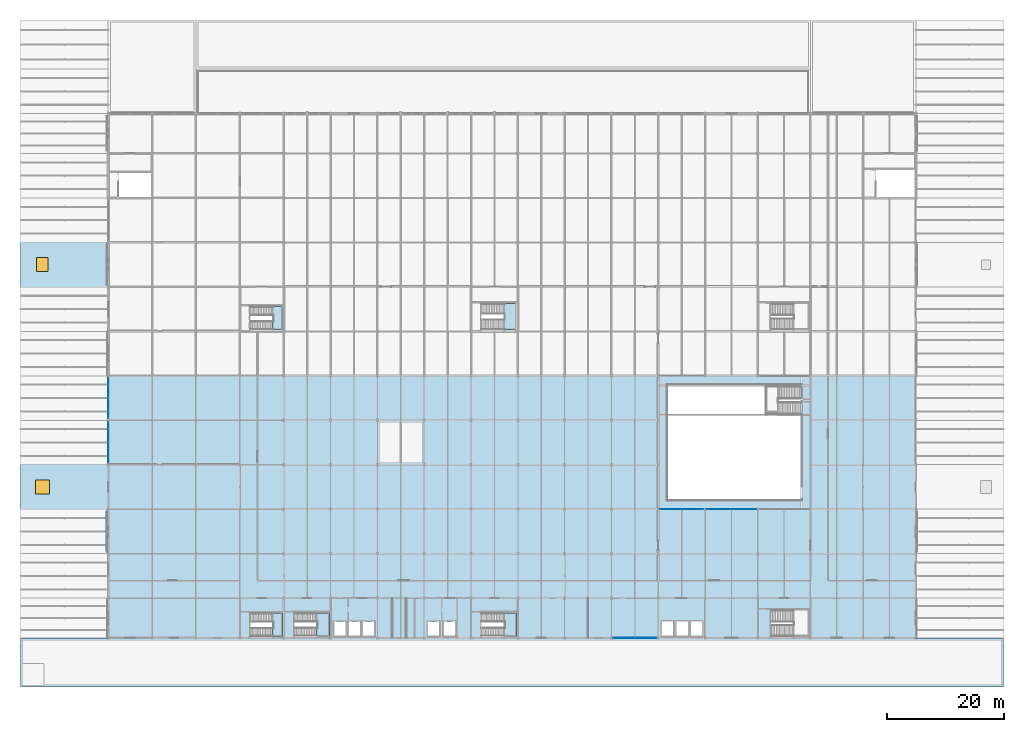
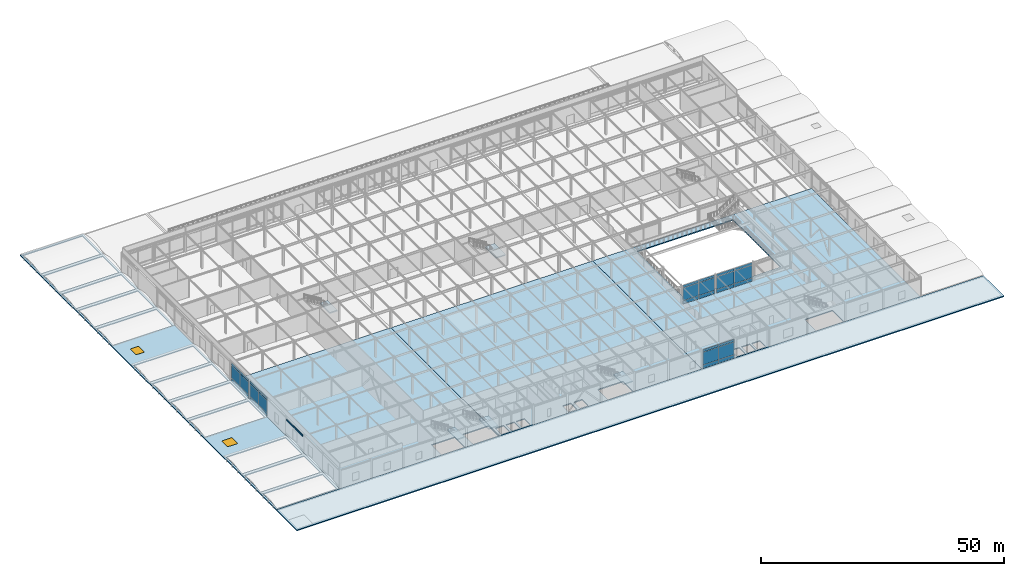
"""IFC4 building model written with IfcOpenShell, lengths in metres."""

from ifc_helpers import new_model, si_unit, direction, frame, origin, origin_2d, place, context, subcontext, project, spatial, polyline, rectangle, outline, extrude, material, layer, layer_set, type_object, element, fill, aggregate, save


model = new_model("IFC4")

# Units and contexts
model_context = context("Model", 3, precision=1e-05, world=origin(), true_north=direction((0.0, 1.0)))
body_context = subcontext(model_context, "Body", "Model", "MODEL_VIEW")
ifc_project = project(units=[si_unit("LENGTHUNIT", "METRE"), si_unit("AREAUNIT", "SQUARE_METRE"), si_unit("VOLUMEUNIT", "CUBIC_METRE"), si_unit("PLANEANGLEUNIT", "RADIAN"), si_unit("MASSUNIT", "GRAM", prefix="KILO")], contexts=[model_context])

# Site, building, storey
site_placement = place(None, origin())
site = spatial("IfcSite", under=ifc_project, at=site_placement, CompositionType="ELEMENT")
building_placement = place(site_placement, origin())
building = spatial("IfcBuilding", under=site, at=building_placement, Name="Shalkamar Park Central Library", CompositionType="ELEMENT")
storey_1_placement = place(building_placement, frame((0.0, 0.0, 5.39990234375)))
storey_1 = spatial("IfcBuildingStorey", under=building, at=storey_1_placement, Name="L02", CompositionType="ELEMENT", Elevation=5.39990234375)

# Curtain wall, plates
ifc_material_1 = material(Name="Thermally broken aluminium and triple low-e curtain wall", Category="aluminium")
ifc_layer_1 = layer(ifc_material_1, 0.25)
ifc_layer_set_1 = layer_set([ifc_layer_1], Name="AtriumGlazedScreen_115")
curtain_wall_type_1 = type_object("IfcCurtainWallType", Name="Atrium Glazed Screen 115", PredefinedType="USERDEFINED", material=ifc_layer_set_1)
curtain_wall_1_placement = place(storey_1_placement, origin())
curtain_wall_1 = element("IfcCurtainWall", 1, at=curtain_wall_1_placement, inside=storey_1, type_object=curtain_wall_type_1, Name="Atrium Glazed Screen CW-L02-172", ObjectType="ATRIUM GLAZED SCREEN", PredefinedType="USERDEFINED")
ifc_material_2 = material(Name="Laminated acoustic interior glass", Category="glass")
ifc_layer_2 = layer(ifc_material_2, 0.02197265625)
ifc_layer_set_2 = layer_set([ifc_layer_2], Name="AcousticGlazedScreenPanel_22")
plate_type_1 = type_object("IfcPlateType", Name="Acoustic Glazed Screen Panel 22", PredefinedType="CURTAIN_PANEL", material=ifc_layer_set_2)
plate_1_placement = place(storey_1_placement, frame((231.139404296875, 270.39990234375, 0.06005859375), z_axis=(0.0, 0.0, 1.0), x_axis=(1.0, 0.0, 0.0)))
plate_1 = element("IfcPlate", 2, at=plate_1_placement, type_object=plate_type_1, Name="CW-115 panel 1.1", PredefinedType="CURTAIN_PANEL", context=body_context, shape_type="SweptSolid", body=[
    extrude(rectangle(XDim=3.6708984375, YDim=0.02197265625, at=origin_2d()), origin(), (0.0, 0.0, 1.0), 0.81005859375),
])
plate_2_placement = place(storey_1_placement, frame((231.139404296875, 270.39990234375, 0.93017578125), z_axis=(0.0, 0.0, 1.0), x_axis=(1.0, 0.0, 0.0)))
plate_2 = element("IfcPlate", 3, at=plate_2_placement, type_object=plate_type_1, Name="CW-115 panel 1.2", PredefinedType="CURTAIN_PANEL", context=body_context, shape_type="SweptSolid", body=[
    extrude(rectangle(XDim=3.6708984375, YDim=0.02197265625, at=origin_2d()), origin(), (0.0, 0.0, 1.0), 3.14990234375),
])
plate_3_placement = place(storey_1_placement, frame((231.139404296875, 270.39990234375, 4.14013671875), z_axis=(0.0, 0.0, 1.0), x_axis=(1.0, 0.0, 0.0)))
plate_3 = element("IfcPlate", 4, at=plate_3_placement, type_object=plate_type_1, Name="CW-115 panel 1.3", PredefinedType="CURTAIN_PANEL", context=body_context, shape_type="SweptSolid", body=[
    extrude(rectangle(XDim=3.6708984375, YDim=0.02197265625, at=origin_2d()), origin(), (0.0, 0.0, 1.0), 0.659912109375),
])
plate_4_placement = place(storey_1_placement, frame((234.885498046875, 270.39990234375, 0.06005859375), z_axis=(0.0, 0.0, 1.0), x_axis=(1.0, 0.0, 0.0)))
plate_4 = element("IfcPlate", 5, at=plate_4_placement, type_object=plate_type_1, Name="CW-115 panel 2.1", PredefinedType="CURTAIN_PANEL", context=body_context, shape_type="SweptSolid", body=[
    extrude(rectangle(XDim=3.6708984375, YDim=0.02197265625, at=origin_2d()), origin(), (0.0, 0.0, 1.0), 0.81005859375),
])
plate_5_placement = place(storey_1_placement, frame((234.885498046875, 270.39990234375, 0.93017578125), z_axis=(0.0, 0.0, 1.0), x_axis=(1.0, 0.0, 0.0)))
plate_5 = element("IfcPlate", 6, at=plate_5_placement, type_object=plate_type_1, Name="CW-115 panel 2.2", PredefinedType="CURTAIN_PANEL", context=body_context, shape_type="SweptSolid", body=[
    extrude(rectangle(XDim=3.6708984375, YDim=0.02197265625, at=origin_2d()), origin(), (0.0, 0.0, 1.0), 3.14990234375),
])
plate_6_placement = place(storey_1_placement, frame((234.885498046875, 270.39990234375, 4.14013671875), z_axis=(0.0, 0.0, 1.0), x_axis=(1.0, 0.0, 0.0)))
plate_6 = element("IfcPlate", 7, at=plate_6_placement, type_object=plate_type_1, Name="CW-115 panel 2.3", PredefinedType="CURTAIN_PANEL", context=body_context, shape_type="SweptSolid", body=[
    extrude(rectangle(XDim=3.6708984375, YDim=0.02197265625, at=origin_2d()), origin(), (0.0, 0.0, 1.0), 0.659912109375),
])
aggregate(curtain_wall_1, [plate_1, plate_2, plate_3, plate_4, plate_5, plate_6])

# Plate
ifc_material_3 = material(Name="Anodized bronze architectural frieze plate", Category="aluminium")
ifc_layer_3 = layer(ifc_material_3, 0.110107421875)
ifc_layer_set_3 = layer_set([ifc_layer_3], Name="BronzeSpandrelFriezePlate_110")
plate_type_2 = type_object("IfcPlateType", Name="Bronze Spandrel Frieze Plate 110", PredefinedType="USERDEFINED", material=ifc_layer_set_3)
plate_7_placement = place(storey_1_placement, frame((134.804931640625, 266.60009765625, 4.1279296875), z_axis=(0.0, 0.0, 1.0), x_axis=(1.0, 0.0, 0.0)))
element("IfcPlate", 8, at=plate_7_placement, inside=storey_1, type_object=plate_type_2, Name="Bronze Spandrel Frieze Plate L02-029", ObjectType="CLADDING", PredefinedType="USERDEFINED", context=body_context, shape_type="SweptSolid", body=[
    extrude(rectangle(XDim=0.110107421875, YDim=6.6279296875, at=origin_2d()), origin(), (0.0, 0.0, 1.0), 0.449951171875),
])

# Slab
ifc_material_4 = material(Name="Concrete C35/45", Category="concrete")
ifc_layer_4 = layer(ifc_material_4, 0.25)
ifc_layer_set_4 = layer_set([ifc_layer_4], Name="Concrete C35/45")
slab_type_1 = type_object("IfcSlabType", Name="Flat Roof Slab 140", PredefinedType="ROOF", material=ifc_layer_set_4)
slab_1_placement = place(storey_1_placement, frame((0.0, 0.0, -0.25)))
element("IfcSlab", 9, at=slab_1_placement, inside=storey_1, type_object=slab_type_1, Name="Flat Roof Slab RF-L01-S", PredefinedType="ROOF", context=body_context, shape_type="SweptSolid", body=[
    extrude(outline(polyline([(120.0, 240.0), (288.0, 240.0), (288.0, 248.39990234375), (120.0, 248.39990234375), (120.0, 240.0)])), origin(), (0.0, 0.0, 1.0), 0.25),
])

# Slab, openings
slab_2_placement = place(storey_1_placement, frame((0.0, 0.0, -0.25)))
slab_2 = element("IfcSlab", 10, at=slab_2_placement, inside=storey_1, type_object=slab_type_1, Name="Flat Roof Slab RF-L01-W", PredefinedType="ROOF", context=body_context, shape_type="SweptSolid", body=[
    extrude(outline(polyline([(120.0, 248.39990234375), (135.0, 248.39990234375), (135.0, 354.0), (120.0, 354.0), (120.0, 248.39990234375)]), holes=[polyline([(120.449951171875, 248.85009765625), (134.550048828125, 248.85009765625), (134.550048828125, 254.75), (120.449951171875, 254.75), (120.449951171875, 248.85009765625)]), polyline([(120.449951171875, 255.64990234375), (134.550048828125, 255.64990234375), (134.550048828125, 262.35009765625), (120.449951171875, 262.35009765625), (120.449951171875, 255.64990234375)]), polyline([(120.449951171875, 263.25), (134.550048828125, 263.25), (134.550048828125, 269.949951171875), (120.449951171875, 269.949951171875), (120.449951171875, 263.25)]), polyline([(120.449951171875, 278.449951171875), (134.550048828125, 278.449951171875), (134.550048828125, 285.14990234375), (120.449951171875, 285.14990234375), (120.449951171875, 278.449951171875)]), polyline([(120.449951171875, 286.050048828125), (134.550048828125, 286.050048828125), (134.550048828125, 292.75), (120.449951171875, 292.75), (120.449951171875, 286.050048828125)]), polyline([(120.449951171875, 293.64990234375), (134.550048828125, 293.64990234375), (134.550048828125, 300.35009765625), (120.449951171875, 300.35009765625), (120.449951171875, 293.64990234375)]), polyline([(120.449951171875, 301.25), (134.550048828125, 301.25), (134.550048828125, 307.949951171875), (120.449951171875, 307.949951171875), (120.449951171875, 301.25)]), polyline([(120.449951171875, 316.449951171875), (134.550048828125, 316.449951171875), (134.550048828125, 323.14990234375), (120.449951171875, 323.14990234375), (120.449951171875, 316.449951171875)]), polyline([(120.449951171875, 324.050048828125), (134.550048828125, 324.050048828125), (134.550048828125, 330.75), (120.449951171875, 330.75), (120.449951171875, 324.050048828125)]), polyline([(120.449951171875, 331.64990234375), (134.550048828125, 331.64990234375), (134.550048828125, 337.550048828125), (120.449951171875, 337.550048828125), (120.449951171875, 331.64990234375)]), polyline([(120.449951171875, 338.449951171875), (134.550048828125, 338.449951171875), (134.550048828125, 345.14990234375), (120.449951171875, 345.14990234375), (120.449951171875, 338.449951171875)]), polyline([(120.449951171875, 346.050048828125), (134.550048828125, 346.050048828125), (134.550048828125, 353.550048828125), (120.449951171875, 353.550048828125), (120.449951171875, 346.050048828125)])]), origin(), (0.0, 0.0, 1.0), 0.25),
])
opening_1_placement = place(slab_2_placement, frame((123.75, 274.199951171875, -0.010009765625)))
opening_1 = element("IfcOpeningElement", 11, at=opening_1_placement, cuts=slab_2, Name="Opening SK-01", PredefinedType="OPENING", context=body_context, shape_type="SweptSolid", body=[
    extrude(rectangle(XDim=2.39990234375, YDim=2.39990234375, at=origin_2d()), origin(), (0.0, 0.0, 1.0), 0.27001953125),
])
opening_2_placement = place(slab_2_placement, frame((123.75, 312.199951171875, -0.010009765625)))
opening_2 = element("IfcOpeningElement", 12, at=opening_2_placement, cuts=slab_2, Name="Opening SK-02", PredefinedType="OPENING", context=body_context, shape_type="SweptSolid", body=[
    extrude(rectangle(XDim=2.0, YDim=2.39990234375, at=origin_2d()), origin(), (0.0, 0.0, 1.0), 0.27001953125),
])

# Storey
storey_2_placement = place(building_placement, origin())
storey_2 = spatial("IfcBuildingStorey", under=building, at=storey_2_placement, Name="L01", CompositionType="ELEMENT", Elevation=0.0)

# Window
ifc_material_5 = material(Name="Thermally broken aluminium and triple low-e glass", Category="glass")
window_type_1 = type_object("IfcWindowType", Name="Roof Skylight 2000x2400", PartitioningType="SINGLE_PANEL", PredefinedType="SKYLIGHT", material=ifc_material_5)
window_1_placement = place(opening_2_placement, frame((0.0, 0.0, 0.2099609375)))
window_1 = element("IfcWindow", 13, at=window_1_placement, inside=storey_2, type_object=window_type_1, Name="Roof Skylight SK-L01-02", OverallHeight=2.39990234375, OverallWidth=2.0, PartitioningType="SINGLE_PANEL", PredefinedType="SKYLIGHT", context=body_context, shape_type="SweptSolid", body=[
    extrude(rectangle(XDim=2.0, YDim=2.39990234375, at=origin_2d()), origin(), (0.0, 0.0, 1.0), 0.050048828125),
])

fill(opening_2, window_1)

window_type_2 = type_object("IfcWindowType", Name="Roof Skylight 2400x2400", PartitioningType="SINGLE_PANEL", PredefinedType="SKYLIGHT", material=ifc_material_5)
window_2_placement = place(opening_1_placement, frame((0.0, 0.0, 0.2099609375)))
window_2 = element("IfcWindow", 14, at=window_2_placement, inside=storey_2, type_object=window_type_2, Name="Roof Skylight SK-L01-01", OverallHeight=2.39990234375, OverallWidth=2.39990234375, PartitioningType="SINGLE_PANEL", PredefinedType="SKYLIGHT", context=body_context, shape_type="SweptSolid", body=[
    extrude(rectangle(XDim=2.39990234375, YDim=2.39990234375, at=origin_2d()), origin(), (0.0, 0.0, 1.0), 0.050048828125),
])

fill(opening_1, window_2)

# Curtain wall, plates
ifc_layer_5 = layer(ifc_material_1, 0.260009765625)
ifc_layer_set_5 = layer_set([ifc_layer_5], Name="AtriumGlazedScreen_116")
curtain_wall_type_2 = type_object("IfcCurtainWallType", Name="Atrium Glazed Screen 116", PredefinedType="USERDEFINED", material=ifc_layer_set_5)
curtain_wall_2_placement = place(storey_1_placement, origin())
curtain_wall_2 = element("IfcCurtainWall", 15, at=curtain_wall_2_placement, inside=storey_1, type_object=curtain_wall_type_2, Name="Atrium Glazed Screen CW-L02-173", ObjectType="ATRIUM GLAZED SCREEN", PredefinedType="USERDEFINED")
ifc_material_6 = material(Name="Tempered clear atrium glass", Category="glass")
ifc_layer_6 = layer(ifc_material_6, 0.011962890625)
ifc_layer_set_6 = layer_set([ifc_layer_6], Name="InteriorAtriumGlassPanel_12")
plate_type_3 = type_object("IfcPlateType", Name="Interior Atrium Glass Panel 12", PredefinedType="CURTAIN_PANEL", material=ifc_layer_set_6)
plate_8_placement = place(storey_1_placement, frame((239.364501953125, 270.39990234375, 0.06005859375), z_axis=(0.0, 0.0, 1.0), x_axis=(1.0, 0.0, 0.0)))
plate_8 = element("IfcPlate", 16, at=plate_8_placement, type_object=plate_type_3, Name="CW-116 panel 1.1", PredefinedType="CURTAIN_PANEL", context=body_context, shape_type="SweptSolid", body=[
    extrude(rectangle(XDim=4.1708984375, YDim=0.011962890625, at=origin_2d()), origin(), (0.0, 0.0, 1.0), 0.81005859375),
])
plate_9_placement = place(storey_1_placement, frame((239.364501953125, 270.39990234375, 0.93017578125), z_axis=(0.0, 0.0, 1.0), x_axis=(1.0, 0.0, 0.0)))
plate_9 = element("IfcPlate", 17, at=plate_9_placement, type_object=plate_type_3, Name="CW-116 panel 1.2", PredefinedType="CURTAIN_PANEL", context=body_context, shape_type="SweptSolid", body=[
    extrude(rectangle(XDim=4.1708984375, YDim=0.011962890625, at=origin_2d()), origin(), (0.0, 0.0, 1.0), 3.14990234375),
])
plate_10_placement = place(storey_1_placement, frame((239.364501953125, 270.39990234375, 4.14013671875), z_axis=(0.0, 0.0, 1.0), x_axis=(1.0, 0.0, 0.0)))
plate_10 = element("IfcPlate", 18, at=plate_10_placement, type_object=plate_type_3, Name="CW-116 panel 1.3", PredefinedType="CURTAIN_PANEL", context=body_context, shape_type="SweptSolid", body=[
    extrude(rectangle(XDim=4.1708984375, YDim=0.011962890625, at=origin_2d()), origin(), (0.0, 0.0, 1.0), 0.659912109375),
])
plate_11_placement = place(storey_1_placement, frame((243.610595703125, 270.39990234375, 0.06005859375), z_axis=(0.0, 0.0, 1.0), x_axis=(1.0, 0.0, 0.0)))
plate_11 = element("IfcPlate", 19, at=plate_11_placement, type_object=plate_type_3, Name="CW-116 panel 2.1", PredefinedType="CURTAIN_PANEL", context=body_context, shape_type="SweptSolid", body=[
    extrude(rectangle(XDim=4.1708984375, YDim=0.011962890625, at=origin_2d()), origin(), (0.0, 0.0, 1.0), 0.81005859375),
])
plate_12_placement = place(storey_1_placement, frame((243.610595703125, 270.39990234375, 0.93017578125), z_axis=(0.0, 0.0, 1.0), x_axis=(1.0, 0.0, 0.0)))
plate_12 = element("IfcPlate", 20, at=plate_12_placement, type_object=plate_type_3, Name="CW-116 panel 2.2", PredefinedType="CURTAIN_PANEL", context=body_context, shape_type="SweptSolid", body=[
    extrude(rectangle(XDim=4.1708984375, YDim=0.011962890625, at=origin_2d()), origin(), (0.0, 0.0, 1.0), 3.14990234375),
])
plate_13_placement = place(storey_1_placement, frame((243.610595703125, 270.39990234375, 4.14013671875), z_axis=(0.0, 0.0, 1.0), x_axis=(1.0, 0.0, 0.0)))
plate_13 = element("IfcPlate", 21, at=plate_13_placement, type_object=plate_type_3, Name="CW-116 panel 2.3", PredefinedType="CURTAIN_PANEL", context=body_context, shape_type="SweptSolid", body=[
    extrude(rectangle(XDim=4.1708984375, YDim=0.011962890625, at=origin_2d()), origin(), (0.0, 0.0, 1.0), 0.659912109375),
])
aggregate(curtain_wall_2, [plate_8, plate_9, plate_10, plate_11, plate_12, plate_13])

ifc_layer_7 = layer(ifc_material_1, 0.27001953125)
ifc_layer_set_7 = layer_set([ifc_layer_7], Name="UnitisedCurtainWall_19")
curtain_wall_type_3 = type_object("IfcCurtainWallType", Name="Unitised Curtain Wall 19", PredefinedType="USERDEFINED", material=ifc_layer_set_7)
curtain_wall_3_placement = place(storey_1_placement, origin())
curtain_wall_3 = element("IfcCurtainWall", 22, at=curtain_wall_3_placement, inside=storey_1, type_object=curtain_wall_type_3, Name="Unitised Curtain Wall CW-L02-021", ObjectType="UNITISED CURTAIN WALL", PredefinedType="USERDEFINED")
ifc_material_7 = material(Name="Triple-glazed solar-control glass", Category="glass")
ifc_layer_8 = layer(ifc_material_7, 0.031982421875)
ifc_layer_set_8 = layer_set([ifc_layer_8], Name="SolarControlVisionPanel_32")
plate_type_4 = type_object("IfcPlateType", Name="Solar Control Vision Panel 32", PredefinedType="CURTAIN_PANEL", material=ifc_layer_set_8)
plate_14_placement = place(storey_1_placement, frame((223.136474609375, 248.39990234375, 0.06494140625), z_axis=(0.0, 0.0, 1.0), x_axis=(1.0, 0.0, 0.0)))
plate_14 = element("IfcPlate", 23, at=plate_14_placement, type_object=plate_type_4, Name="CW-19 panel 1.1", PredefinedType="CURTAIN_PANEL", context=body_context, shape_type="SweptSolid", body=[
    extrude(rectangle(XDim=3.649658203125, YDim=0.031982421875, at=origin_2d()), origin(), (0.0, 0.0, 1.0), 0.802490234375),
])
plate_15_placement = place(storey_1_placement, frame((223.136474609375, 248.39990234375, 0.9326171875), z_axis=(0.0, 0.0, 1.0), x_axis=(1.0, 0.0, 0.0)))
plate_15 = element("IfcPlate", 24, at=plate_15_placement, type_object=plate_type_4, Name="CW-19 panel 1.2", PredefinedType="CURTAIN_PANEL", context=body_context, shape_type="SweptSolid", body=[
    extrude(rectangle(XDim=3.649658203125, YDim=0.031982421875, at=origin_2d()), origin(), (0.0, 0.0, 1.0), 3.14501953125),
])
plate_16_placement = place(storey_1_placement, frame((223.136474609375, 248.39990234375, 4.142578125), z_axis=(0.0, 0.0, 1.0), x_axis=(1.0, 0.0, 0.0)))
plate_16 = element("IfcPlate", 25, at=plate_16_placement, type_object=plate_type_4, Name="CW-19 panel 1.3", PredefinedType="CURTAIN_PANEL", context=body_context, shape_type="SweptSolid", body=[
    extrude(rectangle(XDim=3.649658203125, YDim=0.031982421875, at=origin_2d()), origin(), (0.0, 0.0, 1.0), 0.652587890625),
])
plate_17_placement = place(storey_1_placement, frame((226.8662109375, 248.39990234375, 0.06494140625), z_axis=(0.0, 0.0, 1.0), x_axis=(1.0, 0.0, 0.0)))
plate_17 = element("IfcPlate", 26, at=plate_17_placement, type_object=plate_type_4, Name="CW-19 panel 2.1", PredefinedType="CURTAIN_PANEL", context=body_context, shape_type="SweptSolid", body=[
    extrude(rectangle(XDim=3.649658203125, YDim=0.031982421875, at=origin_2d()), origin(), (0.0, 0.0, 1.0), 0.802490234375),
])
plate_18_placement = place(storey_1_placement, frame((226.8662109375, 248.39990234375, 0.9326171875), z_axis=(0.0, 0.0, 1.0), x_axis=(1.0, 0.0, 0.0)))
plate_18 = element("IfcPlate", 27, at=plate_18_placement, type_object=plate_type_4, Name="CW-19 panel 2.2", PredefinedType="CURTAIN_PANEL", context=body_context, shape_type="SweptSolid", body=[
    extrude(rectangle(XDim=3.649658203125, YDim=0.031982421875, at=origin_2d()), origin(), (0.0, 0.0, 1.0), 3.14501953125),
])
plate_19_placement = place(storey_1_placement, frame((226.8662109375, 248.39990234375, 4.142578125), z_axis=(0.0, 0.0, 1.0), x_axis=(1.0, 0.0, 0.0)))
plate_19 = element("IfcPlate", 28, at=plate_19_placement, type_object=plate_type_4, Name="CW-19 panel 2.3", PredefinedType="CURTAIN_PANEL", context=body_context, shape_type="SweptSolid", body=[
    extrude(rectangle(XDim=3.649658203125, YDim=0.031982421875, at=origin_2d()), origin(), (0.0, 0.0, 1.0), 0.652587890625),
])
aggregate(curtain_wall_3, [plate_14, plate_15, plate_16, plate_17, plate_18, plate_19])

ifc_layer_9 = layer(ifc_material_1, 0.260009765625)
ifc_layer_set_9 = layer_set([ifc_layer_9], Name="UnitisedCurtainWall_23")
curtain_wall_type_4 = type_object("IfcCurtainWallType", Name="Unitised Curtain Wall 23", PredefinedType="USERDEFINED", material=ifc_layer_set_9)
curtain_wall_4_placement = place(storey_1_placement, origin())
curtain_wall_4 = element("IfcCurtainWall", 29, at=curtain_wall_4_placement, inside=storey_1, type_object=curtain_wall_type_4, Name="Unitised Curtain Wall CW-L02-040", ObjectType="UNITISED CURTAIN WALL", PredefinedType="USERDEFINED")
plate_20_placement = place(storey_1_placement, frame((135.0, 280.033203125, 0.06005859375), z_axis=(0.0, 0.0, 1.0), x_axis=(0.0, 1.0, 0.0)))
plate_20 = element("IfcPlate", 30, at=plate_20_placement, type_object=plate_type_4, Name="CW-23 panel 1.1", PredefinedType="CURTAIN_PANEL", context=body_context, shape_type="SweptSolid", body=[
    extrude(rectangle(XDim=3.45849609375, YDim=0.031982421875, at=origin_2d()), origin(), (0.0, 0.0, 1.0), 0.81005859375),
])
plate_21_placement = place(storey_1_placement, frame((135.0, 280.033203125, 0.93017578125), z_axis=(0.0, 0.0, 1.0), x_axis=(0.0, 1.0, 0.0)))
plate_21 = element("IfcPlate", 31, at=plate_21_placement, type_object=plate_type_4, Name="CW-23 panel 1.2", PredefinedType="CURTAIN_PANEL", context=body_context, shape_type="SweptSolid", body=[
    extrude(rectangle(XDim=3.45849609375, YDim=0.031982421875, at=origin_2d()), origin(), (0.0, 0.0, 1.0), 3.139892578125),
])
plate_22_placement = place(storey_1_placement, frame((135.0, 280.033203125, 4.13037109375), z_axis=(0.0, 0.0, 1.0), x_axis=(0.0, 1.0, 0.0)))
plate_22 = element("IfcPlate", 32, at=plate_22_placement, type_object=plate_type_4, Name="CW-23 panel 1.3", PredefinedType="CURTAIN_PANEL", context=body_context, shape_type="SweptSolid", body=[
    extrude(rectangle(XDim=3.45849609375, YDim=0.031982421875, at=origin_2d()), origin(), (0.0, 0.0, 1.0), 0.659912109375),
])
plate_23_placement = place(storey_1_placement, frame((135.0, 283.566650390625, 0.06005859375), z_axis=(0.0, 0.0, 1.0), x_axis=(0.0, 1.0, 0.0)))
plate_23 = element("IfcPlate", 33, at=plate_23_placement, type_object=plate_type_4, Name="CW-23 panel 2.1", PredefinedType="CURTAIN_PANEL", context=body_context, shape_type="SweptSolid", body=[
    extrude(rectangle(XDim=3.45849609375, YDim=0.031982421875, at=origin_2d()), origin(), (0.0, 0.0, 1.0), 0.81005859375),
])
plate_24_placement = place(storey_1_placement, frame((135.0, 283.566650390625, 0.93017578125), z_axis=(0.0, 0.0, 1.0), x_axis=(0.0, 1.0, 0.0)))
plate_24 = element("IfcPlate", 34, at=plate_24_placement, type_object=plate_type_4, Name="CW-23 panel 2.2", PredefinedType="CURTAIN_PANEL", context=body_context, shape_type="SweptSolid", body=[
    extrude(rectangle(XDim=3.45849609375, YDim=0.031982421875, at=origin_2d()), origin(), (0.0, 0.0, 1.0), 3.139892578125),
])
plate_25_placement = place(storey_1_placement, frame((135.0, 283.566650390625, 4.13037109375), z_axis=(0.0, 0.0, 1.0), x_axis=(0.0, 1.0, 0.0)))
plate_25 = element("IfcPlate", 35, at=plate_25_placement, type_object=plate_type_4, Name="CW-23 panel 2.3", PredefinedType="CURTAIN_PANEL", context=body_context, shape_type="SweptSolid", body=[
    extrude(rectangle(XDim=3.45849609375, YDim=0.031982421875, at=origin_2d()), origin(), (0.0, 0.0, 1.0), 0.659912109375),
])
aggregate(curtain_wall_4, [plate_20, plate_21, plate_22, plate_23, plate_24, plate_25])

# Stair, slab
stair_type_1 = type_object("IfcStairType", Name="Protected Dog Leg Stair 150x510", PredefinedType="TWO_STRAIGHT_RUN_STAIR", material=ifc_material_4)
stair_1_placement = place(storey_1_placement, origin())
stair_1 = element("IfcStair", 36, at=stair_1_placement, inside=storey_1, type_object=stair_type_1, Name="Protected Core Stair ST-T1-L02", PredefinedType="TWO_STRAIGHT_RUN_STAIR")
ifc_layer_10 = layer(ifc_material_4, 0.280029296875)
ifc_layer_set_10 = layer_set([ifc_layer_10], Name="Concrete C35/45")
slab_type_2 = type_object("IfcSlabType", Name="Stair Landing Slab 160", PredefinedType="LANDING", material=ifc_layer_set_10)
slab_3_placement = place(storey_1_placement, frame((0.0, 0.0, 2.27001953125)))
slab_3 = element("IfcSlab", 37, at=slab_3_placement, type_object=slab_type_2, Name="ST-T1-L02 landing 1", PredefinedType="LANDING", context=body_context, shape_type="SweptSolid", body=[
    extrude(outline(polyline([(170.5400390625, 248.6201171875), (172.780029296875, 248.6201171875), (172.780029296875, 252.679931640625), (170.5400390625, 252.679931640625), (170.5400390625, 248.6201171875)])), origin(), (0.0, 0.0, 1.0), 0.280029296875),
])
aggregate(stair_1, [slab_3])

stair_2_placement = place(storey_1_placement, origin())
stair_2 = element("IfcStair", 38, at=stair_2_placement, inside=storey_1, type_object=stair_type_1, Name="Protected Core Stair ST-T2-L02", PredefinedType="TWO_STRAIGHT_RUN_STAIR")
slab_4_placement = place(storey_1_placement, frame((0.0, 0.0, 2.27001953125)))
slab_4 = element("IfcSlab", 39, at=slab_4_placement, type_object=slab_type_2, Name="ST-T2-L02 landing 1", PredefinedType="LANDING", context=body_context, shape_type="SweptSolid", body=[
    extrude(outline(polyline([(202.5400390625, 248.6201171875), (204.780029296875, 248.6201171875), (204.780029296875, 252.679931640625), (202.5400390625, 252.679931640625), (202.5400390625, 248.6201171875)])), origin(), (0.0, 0.0, 1.0), 0.280029296875),
])
aggregate(stair_2, [slab_4])

stair_3_placement = place(storey_1_placement, origin())
stair_3 = element("IfcStair", 40, at=stair_3_placement, inside=storey_1, type_object=stair_type_1, Name="Protected Core Stair ST-P1-L02", PredefinedType="TWO_STRAIGHT_RUN_STAIR")
slab_5_placement = place(storey_1_placement, frame((0.0, 0.0, 2.27001953125)))
slab_5 = element("IfcSlab", 41, at=slab_5_placement, type_object=slab_type_2, Name="ST-P1-L02 landing 1", PredefinedType="LANDING", context=body_context, shape_type="SweptSolid", body=[
    extrude(outline(polyline([(163.014892578125, 248.594970703125), (164.804931640625, 248.594970703125), (164.804931640625, 252.655029296875), (163.014892578125, 252.655029296875), (163.014892578125, 248.594970703125)])), origin(), (0.0, 0.0, 1.0), 0.280029296875),
])
aggregate(stair_3, [slab_5])

stair_4_placement = place(storey_1_placement, origin())
stair_4 = element("IfcStair", 42, at=stair_4_placement, inside=storey_1, type_object=stair_type_1, Name="Protected Core Stair ST-P2-L02", PredefinedType="TWO_STRAIGHT_RUN_STAIR")
slab_6_placement = place(storey_1_placement, frame((0.0, 0.0, 2.27001953125)))
slab_6 = element("IfcSlab", 43, at=slab_6_placement, type_object=slab_type_2, Name="ST-P2-L02 landing 1", PredefinedType="LANDING", context=body_context, shape_type="SweptSolid", body=[
    extrude(outline(polyline([(163.014892578125, 300.9951171875), (164.804931640625, 300.9951171875), (164.804931640625, 305.054931640625), (163.014892578125, 305.054931640625), (163.014892578125, 300.9951171875)])), origin(), (0.0, 0.0, 1.0), 0.280029296875),
])
aggregate(stair_4, [slab_6])

stair_type_2 = type_object("IfcStairType", Name="Protected Dog Leg Stair 180x510", PredefinedType="TWO_STRAIGHT_RUN_STAIR", material=ifc_material_4)
stair_5_placement = place(storey_1_placement, origin())
stair_5 = element("IfcStair", 44, at=stair_5_placement, inside=storey_1, type_object=stair_type_2, Name="Protected Core Stair ST-P7-L02", PredefinedType="TWO_STRAIGHT_RUN_STAIR")
slab_7_placement = place(storey_1_placement, frame((0.0, 0.0, 2.27001953125)))
slab_7 = element("IfcSlab", 45, at=slab_7_placement, type_object=slab_type_2, Name="ST-P7-L02 landing 1", PredefinedType="LANDING", context=body_context, shape_type="SweptSolid", body=[
    extrude(outline(polyline([(202.534912109375, 300.9951171875), (204.804931640625, 300.9951171875), (204.804931640625, 305.554931640625), (202.534912109375, 305.554931640625), (202.534912109375, 300.9951171875)])), origin(), (0.0, 0.0, 1.0), 0.280029296875),
])
aggregate(stair_5, [slab_7])

# Slabs
ifc_layer_11 = layer(ifc_material_4, 0.260009765625)
ifc_layer_set_11 = layer_set([ifc_layer_11], Name="Concrete C35/45")
slab_type_3 = type_object("IfcSlabType", Name="Suspended Floor Slab 260", PredefinedType="FLOOR", material=ifc_layer_set_11)
slab_8_placement = place(storey_1_placement, frame((0.0, 0.0, -0.260009765625)))
element("IfcSlab", 46, at=slab_8_placement, inside=storey_1, type_object=slab_type_3, Name="Level L02 Composite Floor Slab SW", PredefinedType="FLOOR", context=body_context, shape_type="SweptSolid", body=[
    extrude(outline(polyline([(135.0, 248.39990234375), (135.0, 293.199951171875), (173.0, 293.199951171875), (173.0, 248.39990234375), (135.0, 248.39990234375)]), holes=[polyline([(164.824951171875, 252.675048828125), (159.27490234375, 252.675048828125), (159.27490234375, 248.574951171875), (164.824951171875, 248.574951171875), (164.824951171875, 252.675048828125)]), polyline([(172.800048828125, 252.699951171875), (166.800048828125, 252.699951171875), (166.800048828125, 248.60009765625), (172.800048828125, 248.60009765625), (172.800048828125, 252.699951171875)])]), origin(), (0.0, 0.0, 1.0), 0.260009765625),
])
slab_9_placement = place(storey_1_placement, frame((0.0, 0.0, -0.260009765625)))
element("IfcSlab", 47, at=slab_9_placement, inside=storey_1, type_object=slab_type_3, Name="Level L02 Composite Floor Slab SC", PredefinedType="FLOOR", context=body_context, shape_type="SweptSolid", body=[
    extrude(outline(polyline([(173.0, 248.39990234375), (173.0, 293.199951171875), (221.0, 293.199951171875), (221.0, 248.39990234375), (173.0, 248.39990234375)]), holes=[polyline([(175.580078125, 251.22998046875), (173.6201171875, 251.22998046875), (173.6201171875, 248.77001953125), (175.580078125, 248.77001953125), (175.580078125, 251.22998046875)]), polyline([(178.080078125, 251.22998046875), (176.1201171875, 251.22998046875), (176.1201171875, 248.77001953125), (178.080078125, 248.77001953125), (178.080078125, 251.22998046875)]), polyline([(180.47998046875, 251.22998046875), (178.52001953125, 251.22998046875), (178.52001953125, 248.77001953125), (180.47998046875, 248.77001953125), (180.47998046875, 251.22998046875)]), polyline([(191.580078125, 251.22998046875), (189.6201171875, 251.22998046875), (189.6201171875, 248.77001953125), (191.580078125, 248.77001953125), (191.580078125, 251.22998046875)]), polyline([(194.280029296875, 251.22998046875), (192.320068359375, 251.22998046875), (192.320068359375, 248.77001953125), (194.280029296875, 248.77001953125), (194.280029296875, 251.22998046875)]), polyline([(204.800048828125, 252.699951171875), (198.800048828125, 252.699951171875), (198.800048828125, 248.60009765625), (204.800048828125, 248.60009765625), (204.800048828125, 252.699951171875)])]), origin(), (0.0, 0.0, 1.0), 0.260009765625),
])
slab_10_placement = place(storey_1_placement, frame((0.0, 0.0, -0.260009765625)))
element("IfcSlab", 48, at=slab_10_placement, inside=storey_1, type_object=slab_type_3, Name="Level L02 Composite Floor Slab SE", PredefinedType="FLOOR", context=body_context, shape_type="SweptSolid", body=[
    extrude(outline(polyline([(221.0, 248.39990234375), (221.0, 293.199951171875), (273.0, 293.199951171875), (273.0, 248.39990234375), (221.0, 248.39990234375)]), holes=[polyline([(231.580078125, 251.22998046875), (229.6201171875, 251.22998046875), (229.6201171875, 248.77001953125), (231.580078125, 248.77001953125), (231.580078125, 251.22998046875)]), polyline([(234.080078125, 251.22998046875), (232.1201171875, 251.22998046875), (232.1201171875, 248.77001953125), (234.080078125, 248.77001953125), (234.080078125, 251.22998046875)]), polyline([(236.47998046875, 251.22998046875), (234.52001953125, 251.22998046875), (234.52001953125, 248.77001953125), (236.47998046875, 248.77001953125), (236.47998046875, 251.22998046875)]), polyline([(254.824951171875, 253.175048828125), (248.22509765625, 253.175048828125), (248.22509765625, 248.574951171875), (254.824951171875, 248.574951171875), (254.824951171875, 253.175048828125)]), polyline([(253.39990234375, 291.60009765625), (230.60009765625, 291.60009765625), (230.60009765625, 272.0), (253.39990234375, 272.0), (253.39990234375, 291.60009765625)])]), origin(), (0.0, 0.0, 1.0), 0.260009765625),
])

# Curtain wall, plates
ifc_layer_12 = layer(ifc_material_1, 0.2548828125)
ifc_layer_set_12 = layer_set([ifc_layer_12], Name="UnitisedCurtainWall_36")
curtain_wall_type_5 = type_object("IfcCurtainWallType", Name="Unitised Curtain Wall 36", PredefinedType="USERDEFINED", material=ifc_layer_set_12)
curtain_wall_5_placement = place(storey_1_placement, origin())
curtain_wall_5 = element("IfcCurtainWall", 49, at=curtain_wall_5_placement, inside=storey_1, type_object=curtain_wall_type_5, Name="Unitised Curtain Wall CW-L02-041", ObjectType="UNITISED CURTAIN WALL", PredefinedType="USERDEFINED")
ifc_material_8 = material(Name="Triple-glazed low-e safety glass", Category="glass")
ifc_layer_13 = layer(ifc_material_8, 0.0439453125)
ifc_layer_set_13 = layer_set([ifc_layer_13], Name="TripleGlazedVisionPanel_44")
plate_type_5 = type_object("IfcPlateType", Name="Triple Glazed Vision Panel 44", PredefinedType="CURTAIN_PANEL", material=ifc_layer_set_13)
plate_26_placement = place(storey_1_placement, frame((135.0, 287.634521484375, 0.06494140625), z_axis=(0.0, 0.0, 1.0), x_axis=(0.0, 1.0, 0.0)))
plate_26 = element("IfcPlate", 50, at=plate_26_placement, type_object=plate_type_5, Name="CW-36 panel 1.1", PredefinedType="CURTAIN_PANEL", context=body_context, shape_type="SweptSolid", body=[
    extrude(rectangle(XDim=3.450927734375, YDim=0.0439453125, at=origin_2d()), origin(), (0.0, 0.0, 1.0), 0.802490234375),
])
plate_27_placement = place(storey_1_placement, frame((135.0, 287.634521484375, 0.9326171875), z_axis=(0.0, 0.0, 1.0), x_axis=(0.0, 1.0, 0.0)))
plate_27 = element("IfcPlate", 51, at=plate_27_placement, type_object=plate_type_5, Name="CW-36 panel 1.2", PredefinedType="CURTAIN_PANEL", context=body_context, shape_type="SweptSolid", body=[
    extrude(rectangle(XDim=3.450927734375, YDim=0.0439453125, at=origin_2d()), origin(), (0.0, 0.0, 1.0), 3.135009765625),
])
plate_28_placement = place(storey_1_placement, frame((135.0, 287.634521484375, 4.13232421875), z_axis=(0.0, 0.0, 1.0), x_axis=(0.0, 1.0, 0.0)))
plate_28 = element("IfcPlate", 52, at=plate_28_placement, type_object=plate_type_5, Name="CW-36 panel 1.3", PredefinedType="CURTAIN_PANEL", context=body_context, shape_type="SweptSolid", body=[
    extrude(rectangle(XDim=3.450927734375, YDim=0.0439453125, at=origin_2d()), origin(), (0.0, 0.0, 1.0), 0.652587890625),
])
plate_29_placement = place(storey_1_placement, frame((135.0, 291.16552734375, 0.06494140625), z_axis=(0.0, 0.0, 1.0), x_axis=(0.0, 1.0, 0.0)))
plate_29 = element("IfcPlate", 53, at=plate_29_placement, type_object=plate_type_5, Name="CW-36 panel 2.1", PredefinedType="CURTAIN_PANEL", context=body_context, shape_type="SweptSolid", body=[
    extrude(rectangle(XDim=3.450927734375, YDim=0.0439453125, at=origin_2d()), origin(), (0.0, 0.0, 1.0), 0.802490234375),
])
plate_30_placement = place(storey_1_placement, frame((135.0, 291.16552734375, 0.9326171875), z_axis=(0.0, 0.0, 1.0), x_axis=(0.0, 1.0, 0.0)))
plate_30 = element("IfcPlate", 54, at=plate_30_placement, type_object=plate_type_5, Name="CW-36 panel 2.2", PredefinedType="CURTAIN_PANEL", context=body_context, shape_type="SweptSolid", body=[
    extrude(rectangle(XDim=3.450927734375, YDim=0.0439453125, at=origin_2d()), origin(), (0.0, 0.0, 1.0), 3.135009765625),
])
plate_31_placement = place(storey_1_placement, frame((135.0, 291.16552734375, 4.13232421875), z_axis=(0.0, 0.0, 1.0), x_axis=(0.0, 1.0, 0.0)))
plate_31 = element("IfcPlate", 55, at=plate_31_placement, type_object=plate_type_5, Name="CW-36 panel 2.3", PredefinedType="CURTAIN_PANEL", context=body_context, shape_type="SweptSolid", body=[
    extrude(rectangle(XDim=3.450927734375, YDim=0.0439453125, at=origin_2d()), origin(), (0.0, 0.0, 1.0), 0.652587890625),
])
aggregate(curtain_wall_5, [plate_26, plate_27, plate_28, plate_29, plate_30, plate_31])

save(model, "model.ifc")
